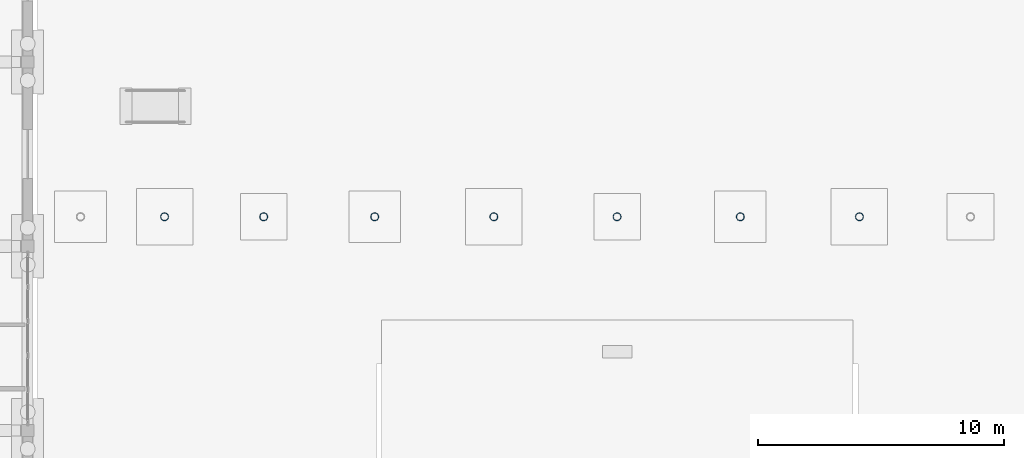
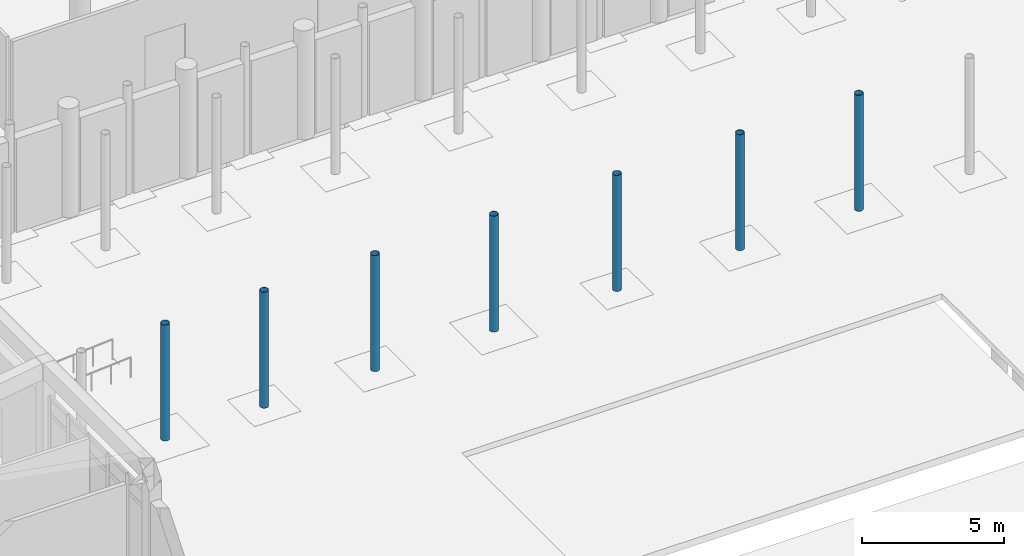
# One storey, part 12 of 173: 7 columns.
"""IFC4 building model written with IfcOpenShell, lengths in metres."""

from ifc_helpers import new_model, si_unit, direction, frame, origin, origin_2d, place, context, subcontext, project, spatial, hollow_circle, extrude, material, material_profile, profile_set, type_object, element, save


model = new_model("IFC4")

# Units and contexts
model_context = context("Model", 3, precision=1e-05, world=origin(), true_north=direction((0.0, 1.0)))
body_context = subcontext(model_context, "Body", "Model", "MODEL_VIEW")
ifc_project = project(units=[si_unit("LENGTHUNIT", "METRE"), si_unit("AREAUNIT", "SQUARE_METRE"), si_unit("VOLUMEUNIT", "CUBIC_METRE"), si_unit("PLANEANGLEUNIT", "RADIAN"), si_unit("MASSUNIT", "GRAM", prefix="KILO")], contexts=[model_context])

# Site, building, storey
site_placement = place(None, origin())
site = spatial("IfcSite", under=ifc_project, at=site_placement, CompositionType="ELEMENT")
building_placement = place(site_placement, origin())
building = spatial("IfcBuilding", under=site, at=building_placement, Name="Mawjan Specialist Oncology Clinic", CompositionType="ELEMENT")
storey_placement = place(building_placement, origin())
storey = spatial("IfcBuildingStorey", under=building, at=storey_placement, Name="L00", CompositionType="ELEMENT", Elevation=0.0)

# Columns
ifc_material = material(Name="Structural steel S355", Category="steel")
ifc_material_profile = material_profile(ifc_material, hollow_circle(Radius=0.161865234375, WallThickness=0.011962890625, at=origin_2d()), Name="CHS 323.9x12", Category="steel")
ifc_profile_set = profile_set([ifc_material_profile], Name="Structural steel S355")
column_type = type_object("IfcColumnType", Name="SC-CHS324", PredefinedType="COLUMN", material=ifc_profile_set)
for number, where, z_axis, x_axis, name in (
    (1, (65.573486328125, 32.0, 0.0), (0.0, 0.0, 1.0), (1.0, 0.0, 0.0), "Courtyard Canopy Column 2 L00"),
    (2, (69.611328125, 32.0, 0.0), (0.0, 0.0, 1.0), (1.0, 0.0, 0.0), "Courtyard Canopy Column 3 L00"),
    (3, (74.131103515625, 32.0, 0.0), (0.0, 0.0, 1.0), (1.0, 0.0, 0.0), "Courtyard Canopy Column 4 L00"),
    (4, (78.981689453125, 32.0, 0.0), (0.0, 0.0, 1.0), (1.0, 0.0, 0.0), "Courtyard Canopy Column 5 L00"),
    (5, (84.0, 32.0, 0.0), (0.0, 0.0, 1.0), (1.0, 0.0, 0.0), "Courtyard Canopy Column 6 L00"),
    (6, (89.018310546875, 32.0, 0.0), (0.0, 0.0, 1.0), (1.0, 0.0, 0.0), "Courtyard Canopy Column 7 L00"),
    (7, (93.868896484375, 32.0, 0.0), (0.0, 0.0, 1.0), (1.0, 0.0, 0.0), "Courtyard Canopy Column 8 L00"),
):
    element("IfcColumn", number, at=place(storey_placement, frame(where, z_axis=z_axis, x_axis=x_axis)), inside=storey, type_object=column_type, Name=name, PredefinedType="COLUMN", context=body_context, shape_type="SweptSolid", body=[
        extrude(hollow_circle(Radius=0.161865234375, WallThickness=0.011962890625, at=origin_2d()), origin(), (0.0, 0.0, 1.0), 5.0),
    ])

save(model, "model.ifc")
